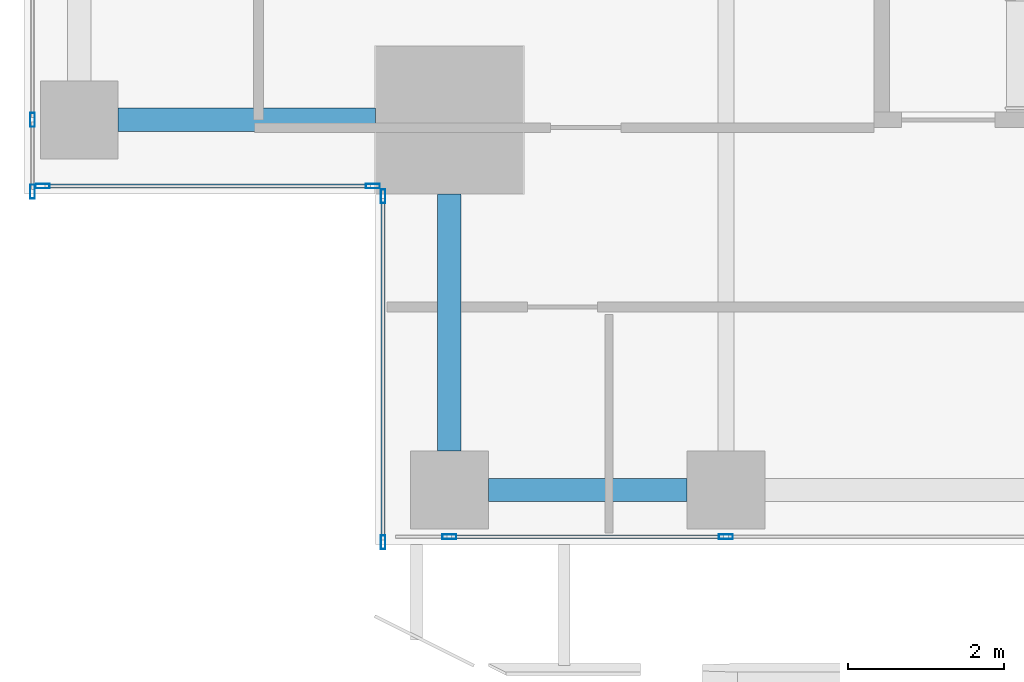
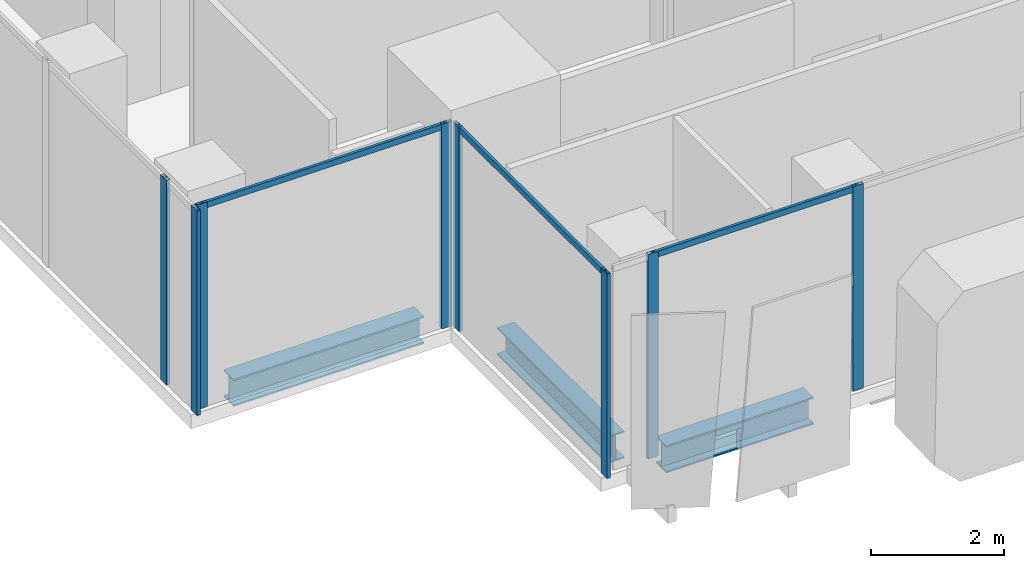
# One storey, part 2 of 40: 11 members, 3 beams, 4 elements without a shape of their own.
"""IFC4 building model written with IfcOpenShell, lengths in metres."""

from ifc_helpers import new_model, si_unit, direction, frame, origin, origin_2d, place, context, subcontext, project, spatial, hollow_rectangle, i_section, extrude, source, transform, mapped, material, material_profile, profile_set, type_object, element, aggregate, save


model = new_model("IFC4")

# Units and contexts
model_context = context("Model", 3, precision=1e-05, world=origin(), true_north=direction((0.0, 1.0)))
body_context = subcontext(model_context, "Body", "Model", "MODEL_VIEW")
ifc_project = project(units=[si_unit("LENGTHUNIT", "METRE"), si_unit("AREAUNIT", "SQUARE_METRE"), si_unit("VOLUMEUNIT", "CUBIC_METRE"), si_unit("PLANEANGLEUNIT", "RADIAN"), si_unit("MASSUNIT", "GRAM", prefix="KILO")], contexts=[model_context])

# Site, building, storey
site_placement = place(None, origin())
site = spatial("IfcSite", under=ifc_project, at=site_placement, CompositionType="ELEMENT")
building_placement = place(site_placement, origin())
building = spatial("IfcBuilding", under=site, at=building_placement, Name="Khomas Fold Tower", CompositionType="ELEMENT")
storey_placement = place(building_placement, frame((0.0, 0.0, 184.699951171875)))
storey = spatial("IfcBuildingStorey", under=building, at=storey_placement, Name="L40", CompositionType="ELEMENT", Elevation=184.699951171875)

# Beams
ifc_material_1 = material(Name="Steel S355", Category="steel")
ifc_material_profile_1 = material_profile(ifc_material_1, i_section(OverallWidth=0.300048828125, OverallDepth=0.5, WebThickness=0.014404296875, FlangeThickness=0.028076171875, at=origin_2d()), Name="HE 500 B")
ifc_profile_set_1 = profile_set([ifc_material_profile_1], Name="Steel S355")
beam_type = type_object("IfcBeamType", Name="HE 500 B spandrel SB3", PredefinedType="SPANDREL", material=ifc_profile_set_1)
shared_shape_1 = source(origin(), body_context, "Body", "SweptSolid", [
    extrude(i_section(OverallWidth=0.300048828125, OverallDepth=0.5, WebThickness=0.014404296875, FlangeThickness=0.028076171875, at=origin_2d()), origin(), (0.0, 0.0, 1.0), 2.550048828125),
])
beam_placement = place(storey_placement, frame((8.949951171875, 3.699951171875, -0.5), z_axis=(1.0, 0.0, 0.0), x_axis=(0.0, 1.0, 0.0)))
element("IfcBeam", 1, at=beam_placement, inside=storey, type_object=beam_type, Name="SB3", PredefinedType="SPANDREL", context=body_context, shape_type="MappedRepresentation", body=[
    mapped(shared_shape_1, transform((0.0, 0.0, 0.0))),
])
shared_shape_2 = source(origin(), body_context, "Body", "SweptSolid", [
    extrude(i_section(OverallWidth=0.300048828125, OverallDepth=0.5, WebThickness=0.014404296875, FlangeThickness=0.028076171875, at=origin_2d()), origin(), (0.0, 0.0, 1.0), 3.300048828125),
])
for number, where, z_axis, x_axis, name in (
    (2, (4.199951171875, 8.449951171875, -0.5), (1.0, 0.0, 0.0), (0.0, 1.0, 0.0), "SB3"),
    (3, (8.449951171875, 4.199951171875, -0.5), (0.0, 1.0, 0.0), (-1.0, 0.0, 0.0), "SB3"),
):
    element("IfcBeam", number, at=place(storey_placement, frame(where, z_axis=z_axis, x_axis=x_axis)), inside=storey, type_object=beam_type, Name=name, PredefinedType="SPANDREL", context=body_context, shape_type="MappedRepresentation", body=[
        mapped(shared_shape_2, transform((0.0, 0.0, 0.0))),
    ])

# Curtain wall, members
ifc_material_2 = material(Name="Aluminium framed double glazing", Category="aluminium")
curtain_wall_type = type_object("IfcCurtainWallType", Name="SK-Unitised clear-glass wall, office floors CW2", PredefinedType="NOTDEFINED", material=ifc_material_2)
curtain_wall_1_placement = place(storey_placement, origin())
curtain_wall_1 = element("IfcCurtainWall", 4, at=curtain_wall_1_placement, inside=storey, type_object=curtain_wall_type, Name="CW2 corner return L40 00", PredefinedType="NOTDEFINED")
ifc_material_3 = material(Name="Aluminium", Category="aluminium")
ifc_material_profile_2 = material_profile(ifc_material_3, hollow_rectangle(XDim=0.06005859375, YDim=0.179931640625, WallThickness=0.00390625, at=origin_2d()), Name="SK-Unitised clear-glass wall, office floors mullion CW2-M")
ifc_profile_set_2 = profile_set([ifc_material_profile_2], Name="Aluminium")
member_type_1 = type_object("IfcMemberType", Name="SK-Unitised clear-glass wall, office floors mullion CW2-M", PredefinedType="MULLION", material=ifc_profile_set_2)
shared_shape_3 = source(origin(), body_context, "Body", "SweptSolid", [
    extrude(hollow_rectangle(XDim=0.06005859375, YDim=0.179931640625, WallThickness=0.00390625, at=origin_2d()), origin(), (0.0, 0.0, 1.0), 3.75),
])
member_1_placement = place(storey_placement, frame((7.60009765625, 7.469970703125, 0.0), z_axis=(0.0, 0.0, 1.0), x_axis=(1.0, 0.0, 0.0)))
member_1 = element("IfcMember", 5, at=member_1_placement, type_object=member_type_1, Name="CW2 mullion 1", PredefinedType="MULLION", context=body_context, shape_type="MappedRepresentation", body=[
    mapped(shared_shape_3, transform((0.0, 0.0, 0.0))),
])
member_2_placement = place(storey_placement, frame((7.60009765625, 3.030029296875, 0.0), z_axis=(0.0, 0.0, 1.0), x_axis=(1.0, 0.0, 0.0)))
member_2 = element("IfcMember", 6, at=member_2_placement, type_object=member_type_1, Name="CW2 mullion 2", PredefinedType="MULLION", context=body_context, shape_type="MappedRepresentation", body=[
    mapped(shared_shape_3, transform((0.0, 0.0, 0.0))),
])

curtain_wall_2_placement = place(storey_placement, origin())
curtain_wall_2 = element("IfcCurtainWall", 7, at=curtain_wall_2_placement, inside=storey, type_object=curtain_wall_type, Name="CW2 run L40 01-0", PredefinedType="NOTDEFINED")
member_3_placement = place(storey_placement, frame((8.449951171875, 3.10009765625, 0.0), z_axis=(0.0, 0.0, 1.0), x_axis=(0.0, 1.0, 0.0)))
member_3 = element("IfcMember", 8, at=member_3_placement, type_object=member_type_1, Name="CW2 mullion 2", PredefinedType="MULLION", context=body_context, shape_type="MappedRepresentation", body=[
    mapped(shared_shape_3, transform((0.0, 0.0, 0.0))),
])
member_4_placement = place(storey_placement, frame((12.0, 3.10009765625, 0.0), z_axis=(0.0, 0.0, 1.0), x_axis=(0.0, 1.0, 0.0)))
member_4 = element("IfcMember", 9, at=member_4_placement, type_object=member_type_1, Name="CW2 mullion 3", PredefinedType="MULLION", context=body_context, shape_type="MappedRepresentation", body=[
    mapped(shared_shape_3, transform((0.0, 0.0, 0.0))),
])

curtain_wall_3_placement = place(storey_placement, origin())
curtain_wall_3 = element("IfcCurtainWall", 10, at=curtain_wall_3_placement, inside=storey, type_object=curtain_wall_type, Name="CW2 run L40 18-0", PredefinedType="NOTDEFINED")
member_5_placement = place(storey_placement, frame((3.10009765625, 8.449951171875, 0.0), z_axis=(0.0, 0.0, 1.0), x_axis=(1.0, 0.0, 0.0)))
member_5 = element("IfcMember", 11, at=member_5_placement, type_object=member_type_1, Name="CW2 mullion 8", PredefinedType="MULLION", context=body_context, shape_type="MappedRepresentation", body=[
    mapped(shared_shape_3, transform((0.0, 0.0, 0.0))),
])
member_6_placement = place(storey_placement, frame((3.10009765625, 7.530029296875, 0.0), z_axis=(0.0, 0.0, 1.0), x_axis=(1.0, 0.0, 0.0)))
member_6 = element("IfcMember", 12, at=member_6_placement, type_object=member_type_1, Name="CW2 mullion 9", PredefinedType="MULLION", context=body_context, shape_type="MappedRepresentation", body=[
    mapped(shared_shape_3, transform((0.0, 0.0, 0.0))),
])
aggregate(curtain_wall_3, [member_5, member_6])

curtain_wall_4_placement = place(storey_placement, origin())
curtain_wall_4 = element("IfcCurtainWall", 13, at=curtain_wall_4_placement, inside=storey, type_object=curtain_wall_type, Name="CW2 corner return L40 19", PredefinedType="NOTDEFINED")
member_7_placement = place(storey_placement, frame((3.22998046875, 7.60009765625, 0.0), z_axis=(0.0, 0.0, 1.0), x_axis=(0.0, 1.0, 0.0)))
member_7 = element("IfcMember", 14, at=member_7_placement, type_object=member_type_1, Name="CW2 mullion 1", PredefinedType="MULLION", context=body_context, shape_type="MappedRepresentation", body=[
    mapped(shared_shape_3, transform((0.0, 0.0, 0.0))),
])
member_8_placement = place(storey_placement, frame((7.469970703125, 7.60009765625, 0.0), z_axis=(0.0, 0.0, 1.0), x_axis=(0.0, 1.0, 0.0)))
member_8 = element("IfcMember", 15, at=member_8_placement, type_object=member_type_1, Name="CW2 mullion 2", PredefinedType="MULLION", context=body_context, shape_type="MappedRepresentation", body=[
    mapped(shared_shape_3, transform((0.0, 0.0, 0.0))),
])

# Member
ifc_material_4 = material(Name="Aluminium", Category="aluminium")
ifc_material_profile_3 = material_profile(ifc_material_4, hollow_rectangle(XDim=0.050048828125, YDim=0.110107421875, WallThickness=0.00390625, at=origin_2d()), Name="SK-Unitised clear-glass wall, office floors transom CW2-T")
ifc_profile_set_3 = profile_set([ifc_material_profile_3], Name="Aluminium")
member_type_2 = type_object("IfcMemberType", Name="SK-Unitised clear-glass wall, office floors transom CW2-T", PredefinedType="USERDEFINED", material=ifc_profile_set_3)
shared_shape_4 = source(origin(), body_context, "Body", "SweptSolid", [
    extrude(hollow_rectangle(XDim=0.050048828125, YDim=0.110107421875, WallThickness=0.00390625, at=origin_2d()), origin(), (0.0, 0.0, 1.0), 4.3798828125),
])
member_9_placement = place(storey_placement, frame((7.60009765625, 7.43994140625, 3.695068359375), z_axis=(0.0, -1.0, 0.0), x_axis=(1.0, 0.0, 0.0)))
member_9 = element("IfcMember", 16, at=member_9_placement, type_object=member_type_2, Name="CW2 transom 1", ObjectType="TRANSOM", PredefinedType="USERDEFINED", context=body_context, shape_type="MappedRepresentation", body=[
    mapped(shared_shape_4, transform((0.0, 0.0, 0.0))),
])

aggregate(curtain_wall_1, [member_1, member_2, member_9])

shared_shape_5 = source(origin(), body_context, "Body", "SweptSolid", [
    extrude(hollow_rectangle(XDim=0.050048828125, YDim=0.110107421875, WallThickness=0.00390625, at=origin_2d()), origin(), (0.0, 0.0, 1.0), 3.489990234375),
])
member_10_placement = place(storey_placement, frame((8.47998046875, 3.10009765625, 3.695068359375), z_axis=(1.0, 0.0, 0.0), x_axis=(0.0, 1.0, 0.0)))
member_10 = element("IfcMember", 17, at=member_10_placement, type_object=member_type_2, Name="CW2 transom 2", ObjectType="TRANSOM", PredefinedType="USERDEFINED", context=body_context, shape_type="MappedRepresentation", body=[
    mapped(shared_shape_5, transform((0.0, 0.0, 0.0))),
])

aggregate(curtain_wall_2, [member_3, member_4, member_10])

shared_shape_6 = source(origin(), body_context, "Body", "SweptSolid", [
    extrude(hollow_rectangle(XDim=0.050048828125, YDim=0.110107421875, WallThickness=0.00390625, at=origin_2d()), origin(), (0.0, 0.0, 1.0), 4.179931640625),
])
member_11_placement = place(storey_placement, frame((3.260009765625, 7.60009765625, 3.695068359375), z_axis=(1.0, 0.0, 0.0), x_axis=(0.0, 1.0, 0.0)))
member_11 = element("IfcMember", 18, at=member_11_placement, type_object=member_type_2, Name="CW2 transom 1", ObjectType="TRANSOM", PredefinedType="USERDEFINED", context=body_context, shape_type="MappedRepresentation", body=[
    mapped(shared_shape_6, transform((0.0, 0.0, 0.0))),
])

aggregate(curtain_wall_4, [member_7, member_8, member_11])

save(model, "model.ifc")
